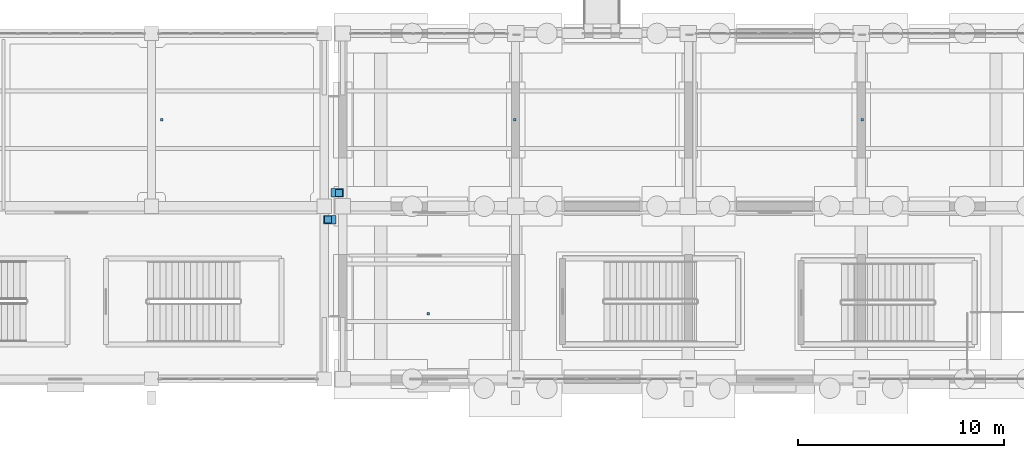
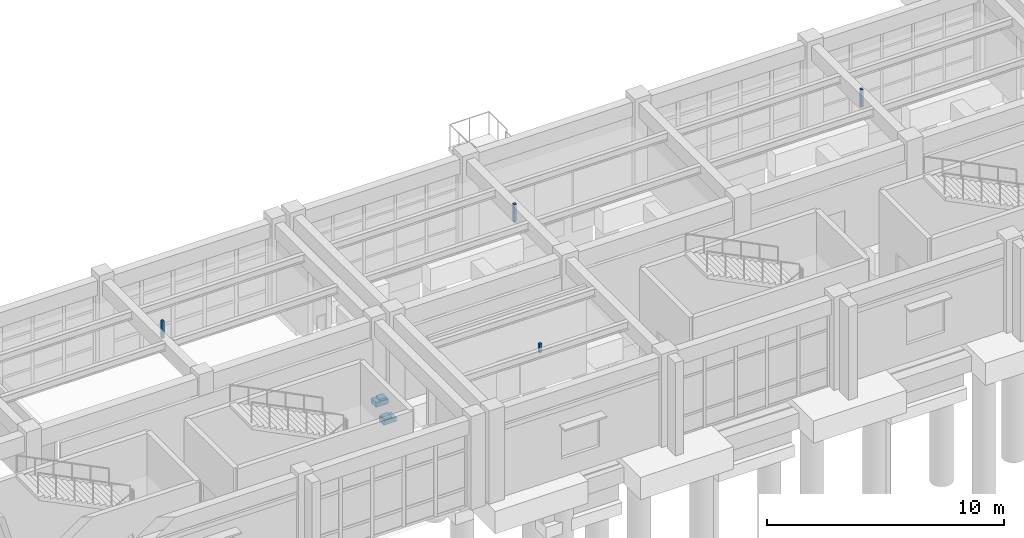
# One storey, part 91 of 111: 8 discrete accessories.
"""IFC4 building model written with IfcOpenShell, lengths in metres."""

from ifc_helpers import new_model, si_unit, direction, frame, origin, origin_2d, place, context, subcontext, project, spatial, rectangle, extrude, material, layer, layer_set, type_object, element, save


model = new_model("IFC4")

# Units and contexts
model_context = context("Model", 3, precision=1e-05, world=origin(), true_north=direction((0.0, 1.0)))
body_context = subcontext(model_context, "Body", "Model", "MODEL_VIEW")
ifc_project = project(units=[si_unit("LENGTHUNIT", "METRE"), si_unit("AREAUNIT", "SQUARE_METRE"), si_unit("VOLUMEUNIT", "CUBIC_METRE"), si_unit("PLANEANGLEUNIT", "RADIAN"), si_unit("MASSUNIT", "GRAM", prefix="KILO")], contexts=[model_context])

# Site, building, storey
site_placement = place(None, origin())
site = spatial("IfcSite", under=ifc_project, at=site_placement, CompositionType="ELEMENT")
building_placement = place(site_placement, origin())
building = spatial("IfcBuilding", under=site, at=building_placement, Name="Canglan Escarpment Cableway Terminal", CompositionType="ELEMENT")
storey_placement = place(building_placement, frame((0.0, 0.0, 4.800048828125)))
storey = spatial("IfcBuildingStorey", under=building, at=storey_placement, Name="L01", CompositionType="ELEMENT", Elevation=4.800048828125)

# Discrete accessories
ifc_material_1 = material(Name="Steel Q355B", Category="steel")
ifc_layer_1 = layer(ifc_material_1, 0.159912109375, Name="Steel Q355B")
ifc_layer_set_1 = layer_set([ifc_layer_1], Name="Steel Q355B")
discrete_accessory_type_1 = type_object("IfcDiscreteAccessoryType", Name="ACC-BRACKET-01", PredefinedType="BRACKET", material=ifc_layer_set_1)
for number, where, z_axis, x_axis, name in (
    (1, (68.199951171875, 20.60009765625, 3.66015625), (0.0, 0.0, 1.0), (1.0, 0.0, 0.0), "Suspended ceiling hanger bracket BK-01"),
    (2, (85.35009765625, 20.60009765625, 3.66015625), (0.0, 0.0, 1.0), (1.0, 0.0, 0.0), "Suspended ceiling hanger bracket BK-01"),
    (3, (102.25, 20.60009765625, 3.66015625), (0.0, 0.0, 1.0), (1.0, 0.0, 0.0), "Suspended ceiling hanger bracket BK-01"),
):
    element("IfcDiscreteAccessory", number, at=place(storey_placement, frame(where, z_axis=z_axis, x_axis=x_axis)), inside=storey, type_object=discrete_accessory_type_1, Name=name, PredefinedType="BRACKET", context=body_context, shape_type="SweptSolid", body=[
        extrude(rectangle(XDim=0.1201171875, YDim=0.1201171875, at=origin_2d()), origin(), (0.0, 0.0, 1.0), 0.909912109375),
    ])
discrete_accessory_placement = place(storey_placement, frame((81.14990234375, 11.17578125, 4.10986328125), z_axis=(0.0, 0.0, 1.0), x_axis=(1.0, 0.0, 0.0)))
element("IfcDiscreteAccessory", 4, at=discrete_accessory_placement, inside=storey, type_object=discrete_accessory_type_1, Name="Suspended ceiling hanger bracket BK-01", PredefinedType="BRACKET", context=body_context, shape_type="SweptSolid", body=[
    extrude(rectangle(XDim=0.1201171875, YDim=0.1201171875, at=origin_2d()), origin(), (0.0, 0.0, 1.0), 0.4599609375),
])
ifc_material_2 = material(Name="Concrete C40", Category="concrete")
ifc_layer_2 = layer(ifc_material_2, 0.239990234375, Name="Concrete C40")
ifc_layer_set_2 = layer_set([ifc_layer_2], Name="Concrete C40")
discrete_accessory_type_2 = type_object("IfcDiscreteAccessoryType", Name="ACC-CORBEL-CB01", PredefinedType="BRACKET", material=ifc_layer_set_2)
for number, where, z_axis, x_axis, name in (
    (5, (76.364990234375, 15.75, -0.5400390625), (0.0, 0.0, 1.0), (1.0, 0.0, 0.0), "Concrete C40 movement-joint corbel bearing ledge CB-01"),
    (6, (76.735107421875, 17.050048828125, -0.5400390625), (0.0, 0.0, 1.0), (1.0, 0.0, 0.0), "Concrete C40 movement-joint corbel bearing ledge CB-01"),
):
    element("IfcDiscreteAccessory", number, at=place(storey_placement, frame(where, z_axis=z_axis, x_axis=x_axis)), inside=storey, type_object=discrete_accessory_type_2, Name=name, PredefinedType="BRACKET", context=body_context, shape_type="SweptSolid", body=[
        extrude(rectangle(XDim=0.60009765625, YDim=0.419921875, at=origin_2d()), origin(), (0.0, 0.0, 1.0), 0.239990234375),
    ])
ifc_material_3 = material(Name="Stainless steel and PTFE elastomer", Category="steel")
ifc_layer_3 = layer(ifc_material_3, 0.080078125, Name="Stainless steel and PTFE elastomer")
ifc_layer_set_3 = layer_set([ifc_layer_3], Name="Stainless steel and PTFE elastomer")
discrete_accessory_type_3 = type_object("IfcDiscreteAccessoryType", Name="BRG-SLIDING-MJ01", PredefinedType="USERDEFINED", material=ifc_layer_set_3)
for number, where, z_axis, x_axis, name in (
    (7, (76.284912109375, 15.75, -0.300048828125), (0.0, 0.0, 1.0), (1.0, 0.0, 0.0), "Unguided PTFE-elastomeric sliding bearing pad MJ-01"),
    (8, (76.81494140625, 17.050048828125, -0.300048828125), (0.0, 0.0, 1.0), (1.0, 0.0, 0.0), "Unguided PTFE-elastomeric sliding bearing pad MJ-01"),
):
    element("IfcDiscreteAccessory", number, at=place(storey_placement, frame(where, z_axis=z_axis, x_axis=x_axis)), inside=storey, type_object=discrete_accessory_type_3, Name=name, ObjectType="SLIDING BEARING", PredefinedType="USERDEFINED", context=body_context, shape_type="SweptSolid", body=[
        extrude(rectangle(XDim=0.35009765625, YDim=0.35009765625, at=origin_2d()), origin(), (0.0, 0.0, 1.0), 0.080078125),
    ])

save(model, "model.ifc")
